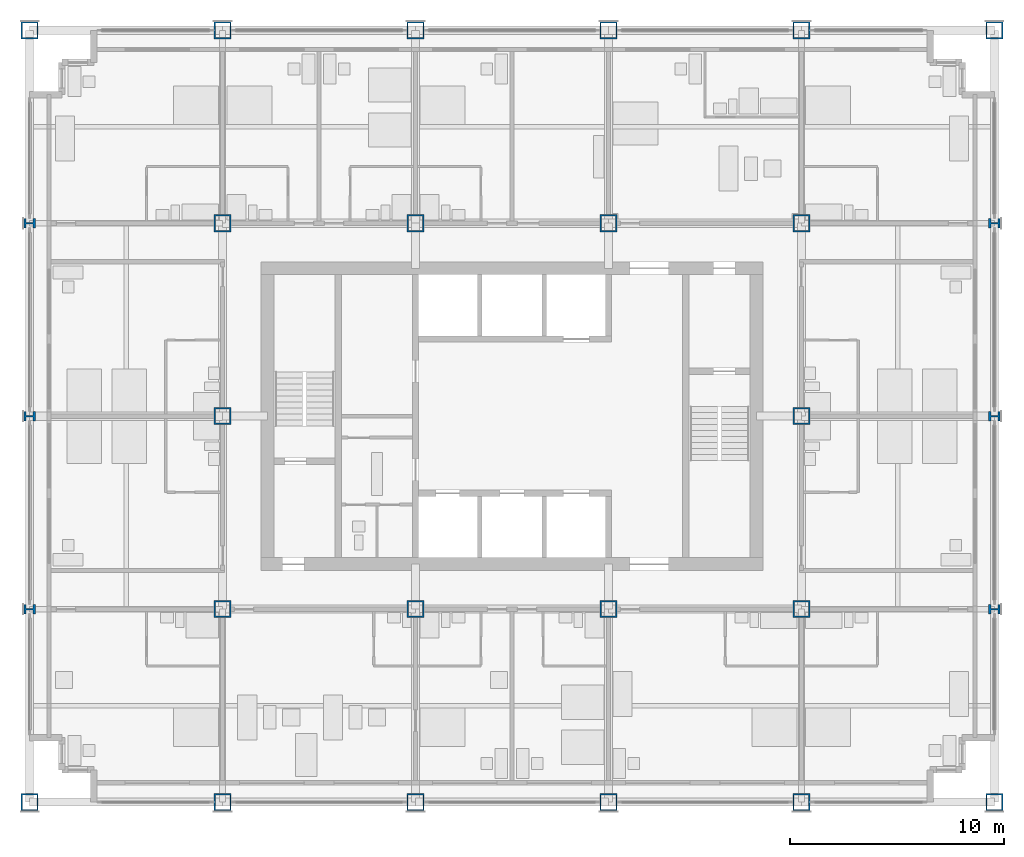
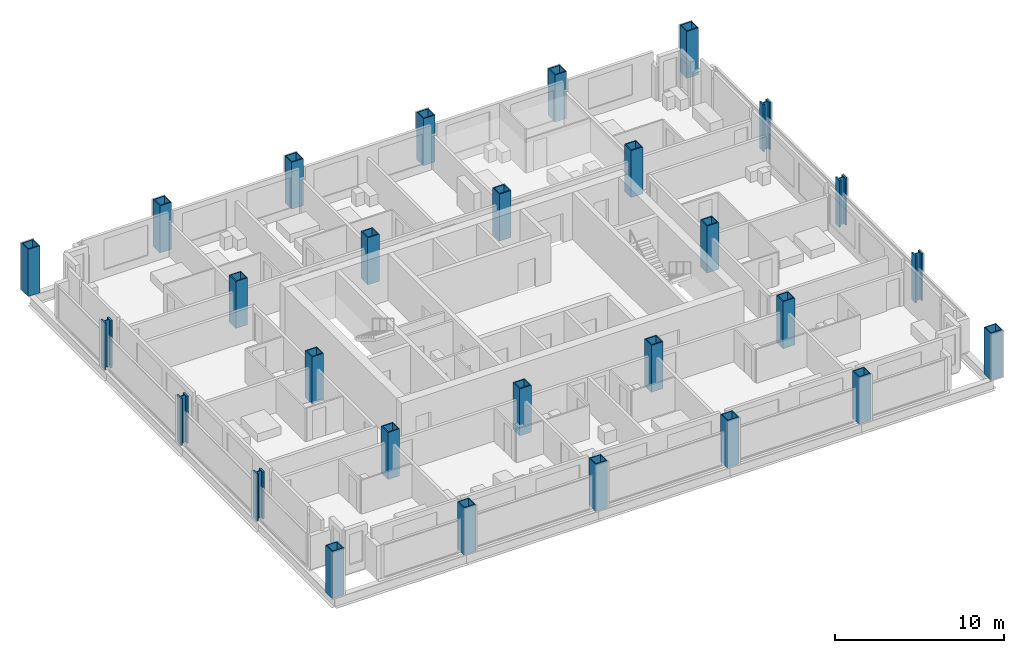
# One storey, part 1 of 16: 28 columns.
"""IFC4 building model written with IfcOpenShell, lengths in metres."""

from ifc_helpers import new_model, si_unit, direction, frame, origin, origin_2d, place, context, subcontext, project, spatial, hollow_rectangle, i_section, extrude, material, material_profile, profile_set, type_object, element, save


model = new_model("IFC4")

# Units and contexts
model_context = context("Model", 3, precision=1e-05, world=origin(), true_north=direction((0.0, 1.0)))
body_context = subcontext(model_context, "Body", "Model", "MODEL_VIEW")
ifc_project = project(units=[si_unit("LENGTHUNIT", "METRE"), si_unit("AREAUNIT", "SQUARE_METRE"), si_unit("VOLUMEUNIT", "CUBIC_METRE"), si_unit("PLANEANGLEUNIT", "RADIAN"), si_unit("MASSUNIT", "GRAM", prefix="KILO")], contexts=[model_context])

# Site, building, storey
site_placement = place(None, origin())
site = spatial("IfcSite", under=ifc_project, at=site_placement, CompositionType="ELEMENT")
building_placement = place(site_placement, origin())
building = spatial("IfcBuilding", under=site, at=building_placement, Name="Loomwork Tower", CompositionType="ELEMENT")
storey_placement = place(building_placement, frame((0.0, 0.0, 135.0)))
storey = spatial("IfcBuildingStorey", under=building, at=storey_placement, Name="L36", CompositionType="ELEMENT", Elevation=135.0)

# Columns
ifc_material_1 = material(Name="Steel ASTM A572 Grade 50 plate", Category="steel")
ifc_material_profile_1 = material_profile(ifc_material_1, hollow_rectangle(XDim=0.800048828125, YDim=0.800048828125, WallThickness=0.06005859375, at=origin_2d()), Name="BOX800x60")
ifc_profile_set_1 = profile_set([ifc_material_profile_1], Name="Steel ASTM A572 Grade 50 plate")
column_type_1 = type_object("IfcColumnType", Name="EXOSKELETON PIER BOX800x60", PredefinedType="COLUMN", material=ifc_profile_set_1)
for number, where, z_axis, x_axis, name in (
    (1, (0.0, 0.0, 0.0), (0.0, 0.0, 1.0), (1.0, 0.0, 0.0), "Exoskeleton Pier D/2 L36"),
    (2, (0.0, 36.0, 0.0), (0.0, 0.0, 1.0), (1.0, 0.0, 0.0), "Exoskeleton Pier H/2 L36"),
    (3, (9.0, 0.0, 0.0), (0.0, 0.0, 1.0), (1.0, 0.0, 0.0), "Exoskeleton Pier D/3 L36"),
    (4, (9.0, 36.0, 0.0), (0.0, 0.0, 1.0), (1.0, 0.0, 0.0), "Exoskeleton Pier H/3 L36"),
    (5, (18.0, 0.0, 0.0), (0.0, 0.0, 1.0), (1.0, 0.0, 0.0), "Exoskeleton Pier D/4 L36"),
    (6, (18.0, 36.0, 0.0), (0.0, 0.0, 1.0), (1.0, 0.0, 0.0), "Exoskeleton Pier H/4 L36"),
    (7, (27.0, 0.0, 0.0), (0.0, 0.0, 1.0), (1.0, 0.0, 0.0), "Exoskeleton Pier D/5 L36"),
    (8, (27.0, 36.0, 0.0), (0.0, 0.0, 1.0), (1.0, 0.0, 0.0), "Exoskeleton Pier H/5 L36"),
    (9, (36.0, 0.0, 0.0), (0.0, 0.0, 1.0), (1.0, 0.0, 0.0), "Exoskeleton Pier D/6 L36"),
    (10, (36.0, 36.0, 0.0), (0.0, 0.0, 1.0), (1.0, 0.0, 0.0), "Exoskeleton Pier H/6 L36"),
    (11, (45.0, 0.0, 0.0), (0.0, 0.0, 1.0), (1.0, 0.0, 0.0), "Exoskeleton Pier D/7 L36"),
    (12, (45.0, 36.0, 0.0), (0.0, 0.0, 1.0), (1.0, 0.0, 0.0), "Exoskeleton Pier H/7 L36"),
):
    element("IfcColumn", number, at=place(storey_placement, frame(where, z_axis=z_axis, x_axis=x_axis)), inside=storey, type_object=column_type_1, Name=name, PredefinedType="COLUMN", context=body_context, shape_type="SweptSolid", body=[
        extrude(hollow_rectangle(XDim=0.800048828125, YDim=0.800048828125, WallThickness=0.06005859375, at=origin_2d()), origin(), (0.0, 0.0, 1.0), 3.39990234375),
    ])
ifc_material_2 = material(Name="Steel ASTM A992", Category="steel")
ifc_material_profile_2 = material_profile(ifc_material_2, i_section(OverallWidth=0.44189453125, OverallDepth=0.53076171875, WebThickness=0.06591796875, FlangeThickness=0.105712890625, at=origin_2d()), Name="W14x605")
ifc_profile_set_2 = profile_set([ifc_material_profile_2], Name="Steel ASTM A992")
column_type_2 = type_object("IfcColumnType", Name="EXOSKELETON PIER W14x605", PredefinedType="COLUMN", material=ifc_profile_set_2)
for number, where, z_axis, x_axis, name in (
    (13, (0.0, 9.0, 0.0), (0.0, 0.0, 1.0), (0.0, 1.0, 0.0), "Exoskeleton Pier E/2 L36"),
    (14, (0.0, 18.0, 0.0), (0.0, 0.0, 1.0), (0.0, 1.0, 0.0), "Exoskeleton Pier F/2 L36"),
    (15, (0.0, 27.0, 0.0), (0.0, 0.0, 1.0), (0.0, 1.0, 0.0), "Exoskeleton Pier G/2 L36"),
    (16, (45.0, 9.0, 0.0), (0.0, 0.0, 1.0), (0.0, 1.0, 0.0), "Exoskeleton Pier E/7 L36"),
    (17, (45.0, 18.0, 0.0), (0.0, 0.0, 1.0), (0.0, 1.0, 0.0), "Exoskeleton Pier F/7 L36"),
    (18, (45.0, 27.0, 0.0), (0.0, 0.0, 1.0), (0.0, 1.0, 0.0), "Exoskeleton Pier G/7 L36"),
):
    element("IfcColumn", number, at=place(storey_placement, frame(where, z_axis=z_axis, x_axis=x_axis)), inside=storey, type_object=column_type_2, Name=name, PredefinedType="COLUMN", context=body_context, shape_type="SweptSolid", body=[
        extrude(i_section(OverallWidth=0.44189453125, OverallDepth=0.53076171875, WebThickness=0.06591796875, FlangeThickness=0.105712890625, at=origin_2d()), origin(), (0.0, 0.0, 1.0), 3.39990234375),
    ])
ifc_material_3 = material(Name="Steel ASTM A572 Grade 50 plate", Category="steel")
ifc_material_profile_3 = material_profile(ifc_material_3, hollow_rectangle(XDim=0.800048828125, YDim=0.800048828125, WallThickness=0.070068359375, at=origin_2d()), Name="BOX800x70")
ifc_profile_set_3 = profile_set([ifc_material_profile_3], Name="Steel ASTM A572 Grade 50 plate")
column_type_3 = type_object("IfcColumnType", Name="TOWER COLUMN BOX800x70", PredefinedType="COLUMN", material=ifc_profile_set_3)
for number, where, z_axis, x_axis, name in (
    (19, (9.0, 9.0, 0.0), (0.0, 0.0, 1.0), (1.0, 0.0, 0.0), "Tower Column E/3 L36"),
    (20, (9.0, 18.0, 0.0), (0.0, 0.0, 1.0), (1.0, 0.0, 0.0), "Tower Column F/3 L36"),
    (21, (9.0, 27.0, 0.0), (0.0, 0.0, 1.0), (1.0, 0.0, 0.0), "Tower Column G/3 L36"),
    (22, (18.0, 9.0, 0.0), (0.0, 0.0, 1.0), (1.0, 0.0, 0.0), "Tower Column E/4 L36"),
    (23, (18.0, 27.0, 0.0), (0.0, 0.0, 1.0), (1.0, 0.0, 0.0), "Tower Column G/4 L36"),
    (24, (27.0, 9.0, 0.0), (0.0, 0.0, 1.0), (1.0, 0.0, 0.0), "Tower Column E/5 L36"),
    (25, (27.0, 27.0, 0.0), (0.0, 0.0, 1.0), (1.0, 0.0, 0.0), "Tower Column G/5 L36"),
    (26, (36.0, 9.0, 0.0), (0.0, 0.0, 1.0), (0.0, 1.0, 0.0), "Tower Column E/6 L36"),
    (27, (36.0, 18.0, 0.0), (0.0, 0.0, 1.0), (0.0, 1.0, 0.0), "Tower Column F/6 L36"),
    (28, (36.0, 27.0, 0.0), (0.0, 0.0, 1.0), (1.0, 0.0, 0.0), "Tower Column G/6 L36"),
):
    element("IfcColumn", number, at=place(storey_placement, frame(where, z_axis=z_axis, x_axis=x_axis)), inside=storey, type_object=column_type_3, Name=name, PredefinedType="COLUMN", context=body_context, shape_type="SweptSolid", body=[
        extrude(hollow_rectangle(XDim=0.800048828125, YDim=0.800048828125, WallThickness=0.070068359375, at=origin_2d()), origin(), (0.0, 0.0, 1.0), 3.39990234375),
    ])

save(model, "model.ifc")
